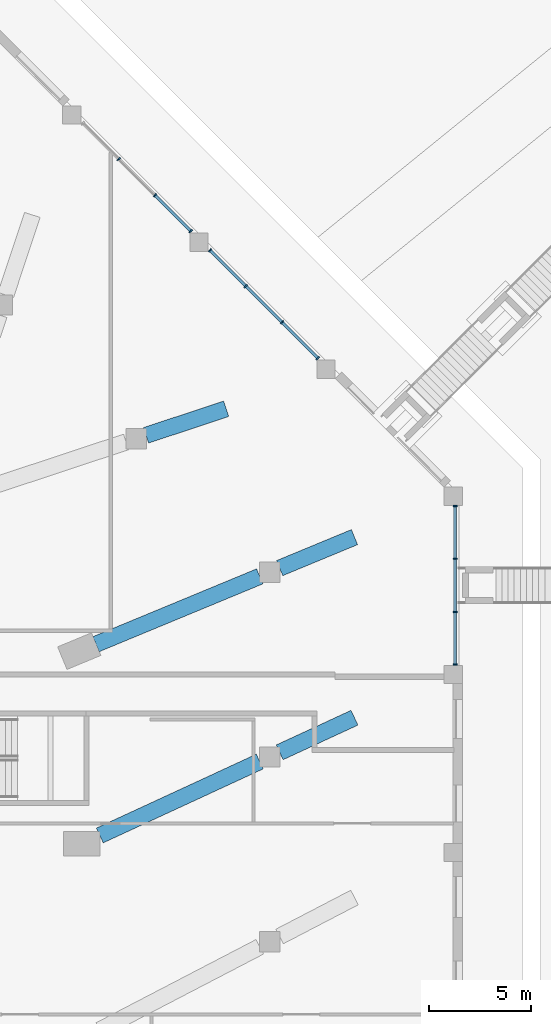
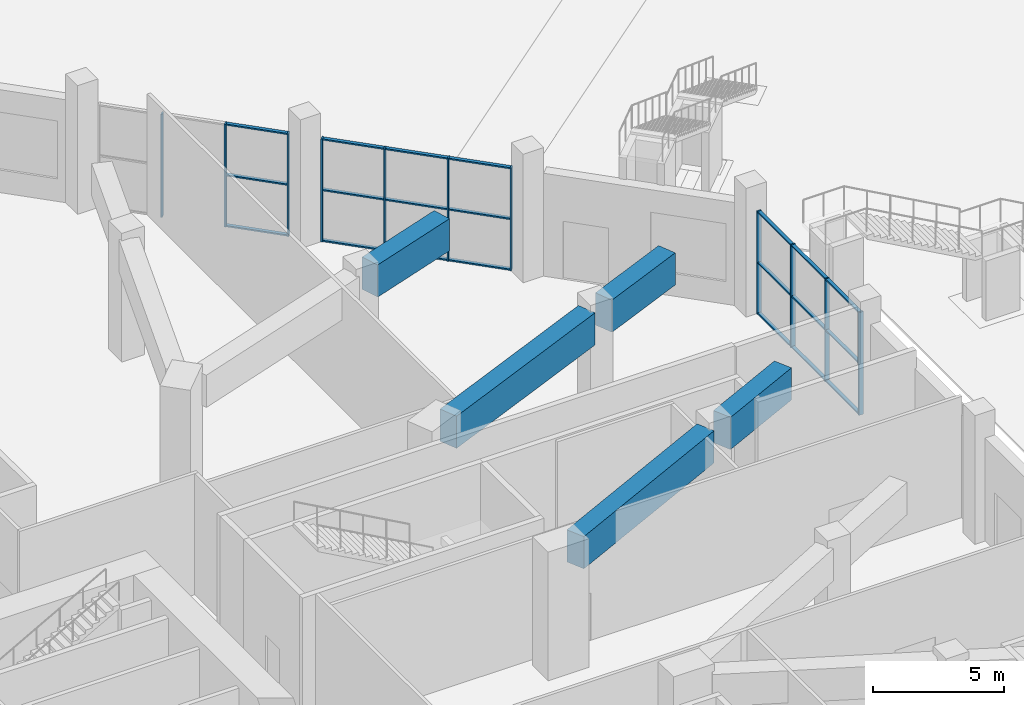
# One storey, part 14 of 36: 32 members, 5 beams, 3 elements without a shape of their own.
"""IFC4 building model written with IfcOpenShell, lengths in metres."""

from ifc_helpers import new_model, si_unit, direction, frame, origin, origin_2d, place, context, subcontext, project, spatial, rectangle, extrude, material, material_profile, profile_set, type_object, element, aggregate, save


model = new_model("IFC4")

# Units and contexts
model_context = context("Model", 3, precision=1e-05, world=origin(), true_north=direction((0.0, 1.0)))
body_context = subcontext(model_context, "Body", "Model", "MODEL_VIEW")
ifc_project = project(units=[si_unit("LENGTHUNIT", "METRE"), si_unit("AREAUNIT", "SQUARE_METRE"), si_unit("VOLUMEUNIT", "CUBIC_METRE"), si_unit("PLANEANGLEUNIT", "RADIAN"), si_unit("MASSUNIT", "GRAM", prefix="KILO")], contexts=[model_context])

# Site, building, storey
site_placement = place(None, origin())
site = spatial("IfcSite", under=ifc_project, at=site_placement, CompositionType="ELEMENT")
building_placement = place(site_placement, origin())
building = spatial("IfcBuilding", under=site, at=building_placement, Name="Msitu Wima Residences", CompositionType="ELEMENT")
storey_placement = place(building_placement, origin())
storey = spatial("IfcBuildingStorey", under=building, at=storey_placement, Name="L00", CompositionType="ELEMENT", Elevation=0.0)

# Curtain wall, members
ifc_material_1 = material(Name="Anodised aluminium, bronze finish, clear laminated low-emissivity double glazing", Category="aluminium")
curtain_wall_type = type_object("IfcCurtainWallType", Name="Curtain wall CW1 shopfront", PredefinedType="NOTDEFINED", material=ifc_material_1)
curtain_wall_1_placement = place(storey_placement, origin())
curtain_wall_1 = element("IfcCurtainWall", 1, at=curtain_wall_1_placement, inside=storey, type_object=curtain_wall_type, Name="Curtain wall CW1 L00 E4", PredefinedType="NOTDEFINED")
ifc_material_2 = material(Name="Anodised aluminium, bronze finish", Category="aluminium")
ifc_material_profile_1 = material_profile(ifc_material_2, rectangle(XDim=0.199951171875, YDim=0.06494140625, at=origin_2d()), Name="Mullion 65x200")
ifc_profile_set_1 = profile_set([ifc_material_profile_1], Name="Anodised aluminium, bronze finish")
member_type_1 = type_object("IfcMemberType", Name="Mullion CW1 65x200", PredefinedType="MULLION", material=ifc_profile_set_1)
member_1_placement = place(storey_placement, frame((46.89990234375, 13.595947265625, 0.0), z_axis=(0.0, 0.0, 1.0), x_axis=(-1.0, 0.0, 0.0)))
member_1 = element("IfcMember", 2, at=member_1_placement, type_object=member_type_1, Name="CW1 mullion 1", PredefinedType="MULLION", context=body_context, shape_type="SweptSolid", body=[
    extrude(rectangle(XDim=0.199951171875, YDim=0.06494140625, at=origin_2d()), origin(), (0.0, 0.0, 1.0), 4.800048828125),
])
member_2_placement = place(storey_placement, frame((46.89990234375, 16.177734375, 0.0), z_axis=(0.0, 0.0, 1.0), x_axis=(-1.0, 0.0, 0.0)))
member_2 = element("IfcMember", 3, at=member_2_placement, type_object=member_type_1, Name="CW1 mullion 2", PredefinedType="MULLION", context=body_context, shape_type="SweptSolid", body=[
    extrude(rectangle(XDim=0.199951171875, YDim=0.06494140625, at=origin_2d()), origin(), (0.0, 0.0, 1.0), 4.800048828125),
])
member_3_placement = place(storey_placement, frame((46.89990234375, 18.791748046875, 0.0), z_axis=(0.0, 0.0, 1.0), x_axis=(-1.0, 0.0, 0.0)))
member_3 = element("IfcMember", 4, at=member_3_placement, type_object=member_type_1, Name="CW1 mullion 3", PredefinedType="MULLION", context=body_context, shape_type="SweptSolid", body=[
    extrude(rectangle(XDim=0.199951171875, YDim=0.06494140625, at=origin_2d()), origin(), (0.0, 0.0, 1.0), 4.800048828125),
])
member_4_placement = place(storey_placement, frame((46.89990234375, 21.373291015625, 0.0), z_axis=(0.0, 0.0, 1.0), x_axis=(-1.0, 0.0, 0.0)))
member_4 = element("IfcMember", 5, at=member_4_placement, type_object=member_type_1, Name="CW1 mullion 4", PredefinedType="MULLION", context=body_context, shape_type="SweptSolid", body=[
    extrude(rectangle(XDim=0.199951171875, YDim=0.06494140625, at=origin_2d()), origin(), (0.0, 0.0, 1.0), 4.800048828125),
])

curtain_wall_2_placement = place(storey_placement, origin())
curtain_wall_2 = element("IfcCurtainWall", 6, at=curtain_wall_2_placement, inside=storey, type_object=curtain_wall_type, Name="Curtain wall CW1 L00 NE1", PredefinedType="NOTDEFINED")
member_5_placement = place(storey_placement, frame((40.16162109375, 28.635498046875, 0.0), z_axis=(0.0, 0.0, 1.0), x_axis=(-0.707106781187, -0.707106781187, 0.0)))
member_5 = element("IfcMember", 7, at=member_5_placement, type_object=member_type_1, Name="CW1 mullion 1", PredefinedType="MULLION", context=body_context, shape_type="SweptSolid", body=[
    extrude(rectangle(XDim=0.199951171875, YDim=0.06494140625, at=origin_2d()), origin(), (0.0, 0.0, 1.0), 4.800048828125),
])
member_6_placement = place(storey_placement, frame((38.406005859375, 30.391357421875, 0.0), z_axis=(0.0, 0.0, 1.0), x_axis=(-0.707106781187, -0.707106781187, 0.0)))
member_6 = element("IfcMember", 8, at=member_6_placement, type_object=member_type_1, Name="CW1 mullion 2", PredefinedType="MULLION", context=body_context, shape_type="SweptSolid", body=[
    extrude(rectangle(XDim=0.199951171875, YDim=0.06494140625, at=origin_2d()), origin(), (0.0, 0.0, 1.0), 4.800048828125),
])
member_7_placement = place(storey_placement, frame((36.627197265625, 32.169921875, 0.0), z_axis=(0.0, 0.0, 1.0), x_axis=(-0.707106781187, -0.707106781187, 0.0)))
member_7 = element("IfcMember", 9, at=member_7_placement, type_object=member_type_1, Name="CW1 mullion 3", PredefinedType="MULLION", context=body_context, shape_type="SweptSolid", body=[
    extrude(rectangle(XDim=0.199951171875, YDim=0.06494140625, at=origin_2d()), origin(), (0.0, 0.0, 1.0), 4.800048828125),
])
member_8_placement = place(storey_placement, frame((34.87158203125, 33.925537109375, 0.0), z_axis=(0.0, 0.0, 1.0), x_axis=(-0.707106781187, -0.707106781187, 0.0)))
member_8 = element("IfcMember", 10, at=member_8_placement, type_object=member_type_1, Name="CW1 mullion 4", PredefinedType="MULLION", context=body_context, shape_type="SweptSolid", body=[
    extrude(rectangle(XDim=0.199951171875, YDim=0.06494140625, at=origin_2d()), origin(), (0.0, 0.0, 1.0), 4.800048828125),
])

curtain_wall_3_placement = place(storey_placement, origin())
curtain_wall_3 = element("IfcCurtainWall", 11, at=curtain_wall_3_placement, inside=storey, type_object=curtain_wall_type, Name="Curtain wall CW1 L00 NE2", PredefinedType="NOTDEFINED")
member_9_placement = place(storey_placement, frame((33.925537109375, 34.87158203125, 0.0), z_axis=(0.0, 0.0, 1.0), x_axis=(-0.707106781187, -0.707106781187, 0.0)))
member_9 = element("IfcMember", 12, at=member_9_placement, type_object=member_type_1, Name="CW1 mullion 1", PredefinedType="MULLION", context=body_context, shape_type="SweptSolid", body=[
    extrude(rectangle(XDim=0.199951171875, YDim=0.06494140625, at=origin_2d()), origin(), (0.0, 0.0, 1.0), 4.800048828125),
])
member_10_placement = place(storey_placement, frame((32.169921875, 36.627197265625, 0.0), z_axis=(0.0, 0.0, 1.0), x_axis=(-0.707106781187, -0.707106781187, 0.0)))
member_10 = element("IfcMember", 13, at=member_10_placement, type_object=member_type_1, Name="CW1 mullion 2", PredefinedType="MULLION", context=body_context, shape_type="SweptSolid", body=[
    extrude(rectangle(XDim=0.199951171875, YDim=0.06494140625, at=origin_2d()), origin(), (0.0, 0.0, 1.0), 4.800048828125),
])
member_11_placement = place(storey_placement, frame((30.391357421875, 38.406005859375, 0.0), z_axis=(0.0, 0.0, 1.0), x_axis=(-0.707106781187, -0.707106781187, 0.0)))
member_11 = element("IfcMember", 14, at=member_11_placement, type_object=member_type_1, Name="CW1 mullion 3", PredefinedType="MULLION", context=body_context, shape_type="SweptSolid", body=[
    extrude(rectangle(XDim=0.199951171875, YDim=0.06494140625, at=origin_2d()), origin(), (0.0, 0.0, 1.0), 4.800048828125),
])

# Beams
ifc_material_3 = material(Name="Concrete C60/75", Category="concrete")
ifc_material_profile_2 = material_profile(ifc_material_3, rectangle(XDim=0.800048828125, YDim=1.5, at=origin_2d()), Name="RC 800x1500")
ifc_profile_set_2 = profile_set([ifc_material_profile_2], Name="Concrete C60/75")
beam_type_1 = type_object("IfcBeamType", Name="Podium cantilever girder RC 800x1500 Concrete C60/75", PredefinedType="BEAM", material=ifc_profile_set_2)
beam_1_placement = place(storey_placement, frame((29.464111328125, 5.2109375, 4.89990234375), z_axis=(0.907721172482, 0.419573918432, 0.0), x_axis=(-0.419573918432, 0.907721172482, 0.0)))
element("IfcBeam", 15, at=beam_1_placement, inside=storey, type_object=beam_type_1, Name="Podium cantilever girder L01 C-E3 back-span", PredefinedType="BEAM", context=body_context, shape_type="SweptSolid", body=[
    extrude(rectangle(XDim=0.800048828125, YDim=1.5, at=origin_2d()), origin(), (0.0, 0.0, 1.0), 8.644287109375),
])
beam_2_placement = place(storey_placement, frame((29.274658203125, 14.5966796875, 4.89990234375), z_axis=(0.923886159432, 0.382667433171, 0.0), x_axis=(-0.382667433171, 0.923886159432, 0.0)))
element("IfcBeam", 16, at=beam_2_placement, inside=storey, type_object=beam_type_1, Name="Podium cantilever girder L01 C-NE0 back-span", PredefinedType="BEAM", context=body_context, shape_type="SweptSolid", body=[
    extrude(rectangle(XDim=0.800048828125, YDim=1.5, at=origin_2d()), origin(), (0.0, 0.0, 1.0), 8.698486328125),
])
ifc_material_profile_3 = material_profile(ifc_material_3, rectangle(XDim=0.800048828125, YDim=1.5, at=origin_2d()), Name="RC 800x1500")
ifc_profile_set_3 = profile_set([ifc_material_profile_3], Name="Concrete C60/75")
beam_type_2 = type_object("IfcBeamType", Name="Podium cantilever girder tip RC 800x1500 Concrete C60/75", PredefinedType="BEAM", material=ifc_profile_set_3)
beam_3_placement = place(storey_placement, frame((38.2890625, 9.2900390625, 4.89990234375), z_axis=(0.907718998306, 0.419578622089, 0.0), x_axis=(-0.419578622089, 0.907718998306, 0.0)))
element("IfcBeam", 17, at=beam_3_placement, inside=storey, type_object=beam_type_2, Name="Podium cantilever girder L01 C-E3 cantilever", PredefinedType="BEAM", context=body_context, shape_type="SweptSolid", body=[
    extrude(rectangle(XDim=0.800048828125, YDim=1.5, at=origin_2d()), origin(), (0.0, 0.0, 1.0), 4.045166015625),
])
beam_4_placement = place(storey_placement, frame((38.288818359375, 18.330322265625, 4.89990234375), z_axis=(0.923870855056, 0.382704380924, 0.0), x_axis=(-0.382704380924, 0.923870855056, 0.0)))
element("IfcBeam", 18, at=beam_4_placement, inside=storey, type_object=beam_type_2, Name="Podium cantilever girder L01 C-NE0 cantilever", PredefinedType="BEAM", context=body_context, shape_type="SweptSolid", body=[
    extrude(rectangle(XDim=0.800048828125, YDim=1.5, at=origin_2d()), origin(), (0.0, 0.0, 1.0), 3.974853515625),
])
beam_5_placement = place(storey_placement, frame((31.731201171875, 24.846923828125, 4.89990234375), z_axis=(0.949335494169, 0.314264410189, 0.0), x_axis=(-0.314264410189, 0.949335494169, 0.0)))
element("IfcBeam", 19, at=beam_5_placement, inside=storey, type_object=beam_type_2, Name="Podium cantilever girder L01 C-NE1 cantilever", PredefinedType="BEAM", context=body_context, shape_type="SweptSolid", body=[
    extrude(rectangle(XDim=0.800048828125, YDim=1.5, at=origin_2d()), origin(), (0.0, 0.0, 1.0), 4.142333984375),
])

# Member
ifc_material_profile_4 = material_profile(ifc_material_2, rectangle(XDim=0.14990234375, YDim=0.06494140625, at=origin_2d()), Name="Transom 65x150")
ifc_profile_set_4 = profile_set([ifc_material_profile_4], Name="Anodised aluminium, bronze finish")
member_type_2 = type_object("IfcMemberType", Name="Transom CW1 65x150", PredefinedType="USERDEFINED", material=ifc_profile_set_4)
member_12_placement = place(storey_placement, frame((46.89990234375, 13.62841796875, 0.032470703125), z_axis=(0.0, 1.0, 0.0), x_axis=(-1.0, 0.0, 0.0)))
member_12 = element("IfcMember", 20, at=member_12_placement, type_object=member_type_2, Name="CW1 transom 1.1", ObjectType="TRANSOM", PredefinedType="USERDEFINED", context=body_context, shape_type="SweptSolid", body=[
    extrude(rectangle(XDim=0.14990234375, YDim=0.06494140625, at=origin_2d()), origin(), (0.0, 0.0, 1.0), 2.5166015625),
])

member_13_placement = place(storey_placement, frame((46.89990234375, 13.62841796875, 2.39990234375), z_axis=(0.0, 1.0, 0.0), x_axis=(-1.0, 0.0, 0.0)))
member_13 = element("IfcMember", 21, at=member_13_placement, type_object=member_type_2, Name="CW1 transom 1.2", ObjectType="TRANSOM", PredefinedType="USERDEFINED", context=body_context, shape_type="SweptSolid", body=[
    extrude(rectangle(XDim=0.14990234375, YDim=0.06494140625, at=origin_2d()), origin(), (0.0, 0.0, 1.0), 2.5166015625),
])

member_14_placement = place(storey_placement, frame((46.89990234375, 13.62841796875, 4.767578125), z_axis=(0.0, 1.0, 0.0), x_axis=(-1.0, 0.0, 0.0)))
member_14 = element("IfcMember", 22, at=member_14_placement, type_object=member_type_2, Name="CW1 transom 1.3", ObjectType="TRANSOM", PredefinedType="USERDEFINED", context=body_context, shape_type="SweptSolid", body=[
    extrude(rectangle(XDim=0.14990234375, YDim=0.06494140625, at=origin_2d()), origin(), (0.0, 0.0, 1.0), 2.5166015625),
])

member_15_placement = place(storey_placement, frame((46.89990234375, 16.210205078125, 0.032470703125), z_axis=(0.0, 1.0, 0.0), x_axis=(-1.0, 0.0, 0.0)))
member_15 = element("IfcMember", 23, at=member_15_placement, type_object=member_type_2, Name="CW1 transom 2.1", ObjectType="TRANSOM", PredefinedType="USERDEFINED", context=body_context, shape_type="SweptSolid", body=[
    extrude(rectangle(XDim=0.14990234375, YDim=0.06494140625, at=origin_2d()), origin(), (0.0, 0.0, 1.0), 2.549072265625),
])

member_16_placement = place(storey_placement, frame((46.89990234375, 16.210205078125, 2.39990234375), z_axis=(0.0, 1.0, 0.0), x_axis=(-1.0, 0.0, 0.0)))
member_16 = element("IfcMember", 24, at=member_16_placement, type_object=member_type_2, Name="CW1 transom 2.2", ObjectType="TRANSOM", PredefinedType="USERDEFINED", context=body_context, shape_type="SweptSolid", body=[
    extrude(rectangle(XDim=0.14990234375, YDim=0.06494140625, at=origin_2d()), origin(), (0.0, 0.0, 1.0), 2.549072265625),
])

member_17_placement = place(storey_placement, frame((46.89990234375, 16.210205078125, 4.767578125), z_axis=(0.0, 1.0, 0.0), x_axis=(-1.0, 0.0, 0.0)))
member_17 = element("IfcMember", 25, at=member_17_placement, type_object=member_type_2, Name="CW1 transom 2.3", ObjectType="TRANSOM", PredefinedType="USERDEFINED", context=body_context, shape_type="SweptSolid", body=[
    extrude(rectangle(XDim=0.14990234375, YDim=0.06494140625, at=origin_2d()), origin(), (0.0, 0.0, 1.0), 2.549072265625),
])

member_18_placement = place(storey_placement, frame((46.89990234375, 18.82421875, 0.032470703125), z_axis=(0.0, 1.0, 0.0), x_axis=(-1.0, 0.0, 0.0)))
member_18 = element("IfcMember", 26, at=member_18_placement, type_object=member_type_2, Name="CW1 transom 3.1", ObjectType="TRANSOM", PredefinedType="USERDEFINED", context=body_context, shape_type="SweptSolid", body=[
    extrude(rectangle(XDim=0.14990234375, YDim=0.06494140625, at=origin_2d()), origin(), (0.0, 0.0, 1.0), 2.5166015625),
])

member_19_placement = place(storey_placement, frame((46.89990234375, 18.82421875, 2.39990234375), z_axis=(0.0, 1.0, 0.0), x_axis=(-1.0, 0.0, 0.0)))
member_19 = element("IfcMember", 27, at=member_19_placement, type_object=member_type_2, Name="CW1 transom 3.2", ObjectType="TRANSOM", PredefinedType="USERDEFINED", context=body_context, shape_type="SweptSolid", body=[
    extrude(rectangle(XDim=0.14990234375, YDim=0.06494140625, at=origin_2d()), origin(), (0.0, 0.0, 1.0), 2.5166015625),
])

member_20_placement = place(storey_placement, frame((46.89990234375, 18.82421875, 4.767578125), z_axis=(0.0, 1.0, 0.0), x_axis=(-1.0, 0.0, 0.0)))
member_20 = element("IfcMember", 28, at=member_20_placement, type_object=member_type_2, Name="CW1 transom 3.3", ObjectType="TRANSOM", PredefinedType="USERDEFINED", context=body_context, shape_type="SweptSolid", body=[
    extrude(rectangle(XDim=0.14990234375, YDim=0.06494140625, at=origin_2d()), origin(), (0.0, 0.0, 1.0), 2.5166015625),
])

aggregate(curtain_wall_1, [member_1, member_2, member_3, member_4, member_12, member_13, member_14, member_15, member_16, member_17, member_18, member_19, member_20])

member_21_placement = place(storey_placement, frame((40.138671875, 28.658447265625, 0.032470703125), z_axis=(-0.707056296999, 0.70715726177, 0.0), x_axis=(-0.70715726177, -0.707056296999, 0.0)))
member_21 = element("IfcMember", 29, at=member_21_placement, type_object=member_type_2, Name="CW1 transom 1.1", ObjectType="TRANSOM", PredefinedType="USERDEFINED", context=body_context, shape_type="SweptSolid", body=[
    extrude(rectangle(XDim=0.14990234375, YDim=0.06494140625, at=origin_2d()), origin(), (0.0, 0.0, 1.0), 2.41796875),
])

member_22_placement = place(storey_placement, frame((40.138671875, 28.658447265625, 2.39990234375), z_axis=(-0.707056296999, 0.70715726177, 0.0), x_axis=(-0.70715726177, -0.707056296999, 0.0)))
member_22 = element("IfcMember", 30, at=member_22_placement, type_object=member_type_2, Name="CW1 transom 1.2", ObjectType="TRANSOM", PredefinedType="USERDEFINED", context=body_context, shape_type="SweptSolid", body=[
    extrude(rectangle(XDim=0.14990234375, YDim=0.06494140625, at=origin_2d()), origin(), (0.0, 0.0, 1.0), 2.41796875),
])

member_23_placement = place(storey_placement, frame((40.138671875, 28.658447265625, 4.767578125), z_axis=(-0.707056296999, 0.70715726177, 0.0), x_axis=(-0.70715726177, -0.707056296999, 0.0)))
member_23 = element("IfcMember", 31, at=member_23_placement, type_object=member_type_2, Name="CW1 transom 1.3", ObjectType="TRANSOM", PredefinedType="USERDEFINED", context=body_context, shape_type="SweptSolid", body=[
    extrude(rectangle(XDim=0.14990234375, YDim=0.06494140625, at=origin_2d()), origin(), (0.0, 0.0, 1.0), 2.41796875),
])

member_24_placement = place(storey_placement, frame((38.383056640625, 30.414306640625, 0.032470703125), z_axis=(-0.707106781187, 0.707106781187, 0.0), x_axis=(-0.707106781187, -0.707106781187, 0.0)))
member_24 = element("IfcMember", 32, at=member_24_placement, type_object=member_type_2, Name="CW1 transom 2.1", ObjectType="TRANSOM", PredefinedType="USERDEFINED", context=body_context, shape_type="SweptSolid", body=[
    extrude(rectangle(XDim=0.14990234375, YDim=0.06494140625, at=origin_2d()), origin(), (0.0, 0.0, 1.0), 2.450439453125),
])

member_25_placement = place(storey_placement, frame((38.383056640625, 30.414306640625, 2.39990234375), z_axis=(-0.707106781187, 0.707106781187, 0.0), x_axis=(-0.707106781187, -0.707106781187, 0.0)))
member_25 = element("IfcMember", 33, at=member_25_placement, type_object=member_type_2, Name="CW1 transom 2.2", ObjectType="TRANSOM", PredefinedType="USERDEFINED", context=body_context, shape_type="SweptSolid", body=[
    extrude(rectangle(XDim=0.14990234375, YDim=0.06494140625, at=origin_2d()), origin(), (0.0, 0.0, 1.0), 2.450439453125),
])

member_26_placement = place(storey_placement, frame((38.383056640625, 30.414306640625, 4.767578125), z_axis=(-0.707106781187, 0.707106781187, 0.0), x_axis=(-0.707106781187, -0.707106781187, 0.0)))
member_26 = element("IfcMember", 34, at=member_26_placement, type_object=member_type_2, Name="CW1 transom 2.3", ObjectType="TRANSOM", PredefinedType="USERDEFINED", context=body_context, shape_type="SweptSolid", body=[
    extrude(rectangle(XDim=0.14990234375, YDim=0.06494140625, at=origin_2d()), origin(), (0.0, 0.0, 1.0), 2.450439453125),
])

member_27_placement = place(storey_placement, frame((36.604248046875, 32.19287109375, 0.032470703125), z_axis=(-0.707106781187, 0.707106781187, 0.0), x_axis=(-0.707106781187, -0.707106781187, 0.0)))
member_27 = element("IfcMember", 35, at=member_27_placement, type_object=member_type_2, Name="CW1 transom 3.1", ObjectType="TRANSOM", PredefinedType="USERDEFINED", context=body_context, shape_type="SweptSolid", body=[
    extrude(rectangle(XDim=0.14990234375, YDim=0.06494140625, at=origin_2d()), origin(), (0.0, 0.0, 1.0), 2.41796875),
])

member_28_placement = place(storey_placement, frame((36.604248046875, 32.19287109375, 2.39990234375), z_axis=(-0.707106781187, 0.707106781187, 0.0), x_axis=(-0.707106781187, -0.707106781187, 0.0)))
member_28 = element("IfcMember", 36, at=member_28_placement, type_object=member_type_2, Name="CW1 transom 3.2", ObjectType="TRANSOM", PredefinedType="USERDEFINED", context=body_context, shape_type="SweptSolid", body=[
    extrude(rectangle(XDim=0.14990234375, YDim=0.06494140625, at=origin_2d()), origin(), (0.0, 0.0, 1.0), 2.41796875),
])

member_29_placement = place(storey_placement, frame((36.604248046875, 32.19287109375, 4.767578125), z_axis=(-0.707106781187, 0.707106781187, 0.0), x_axis=(-0.707106781187, -0.707106781187, 0.0)))
member_29 = element("IfcMember", 37, at=member_29_placement, type_object=member_type_2, Name="CW1 transom 3.3", ObjectType="TRANSOM", PredefinedType="USERDEFINED", context=body_context, shape_type="SweptSolid", body=[
    extrude(rectangle(XDim=0.14990234375, YDim=0.06494140625, at=origin_2d()), origin(), (0.0, 0.0, 1.0), 2.41796875),
])

aggregate(curtain_wall_2, [member_5, member_6, member_7, member_8, member_21, member_22, member_23, member_24, member_25, member_26, member_27, member_28, member_29])

member_30_placement = place(storey_placement, frame((33.902587890625, 34.89453125, 0.032470703125), z_axis=(-0.707106781187, 0.707106781187, 0.0), x_axis=(-0.707106781187, -0.707106781187, 0.0)))
member_30 = element("IfcMember", 38, at=member_30_placement, type_object=member_type_2, Name="CW1 transom 1.1", ObjectType="TRANSOM", PredefinedType="USERDEFINED", context=body_context, shape_type="SweptSolid", body=[
    extrude(rectangle(XDim=0.14990234375, YDim=0.06494140625, at=origin_2d()), origin(), (0.0, 0.0, 1.0), 2.41796875),
])

member_31_placement = place(storey_placement, frame((33.902587890625, 34.89453125, 2.39990234375), z_axis=(-0.707106781187, 0.707106781187, 0.0), x_axis=(-0.707106781187, -0.707106781187, 0.0)))
member_31 = element("IfcMember", 39, at=member_31_placement, type_object=member_type_2, Name="CW1 transom 1.2", ObjectType="TRANSOM", PredefinedType="USERDEFINED", context=body_context, shape_type="SweptSolid", body=[
    extrude(rectangle(XDim=0.14990234375, YDim=0.06494140625, at=origin_2d()), origin(), (0.0, 0.0, 1.0), 2.41796875),
])

member_32_placement = place(storey_placement, frame((33.902587890625, 34.89453125, 4.767578125), z_axis=(-0.707106781187, 0.707106781187, 0.0), x_axis=(-0.707106781187, -0.707106781187, 0.0)))
member_32 = element("IfcMember", 40, at=member_32_placement, type_object=member_type_2, Name="CW1 transom 1.3", ObjectType="TRANSOM", PredefinedType="USERDEFINED", context=body_context, shape_type="SweptSolid", body=[
    extrude(rectangle(XDim=0.14990234375, YDim=0.06494140625, at=origin_2d()), origin(), (0.0, 0.0, 1.0), 2.41796875),
])

aggregate(curtain_wall_3, [member_9, member_10, member_11, member_30, member_31, member_32])

save(model, "model.ifc")
